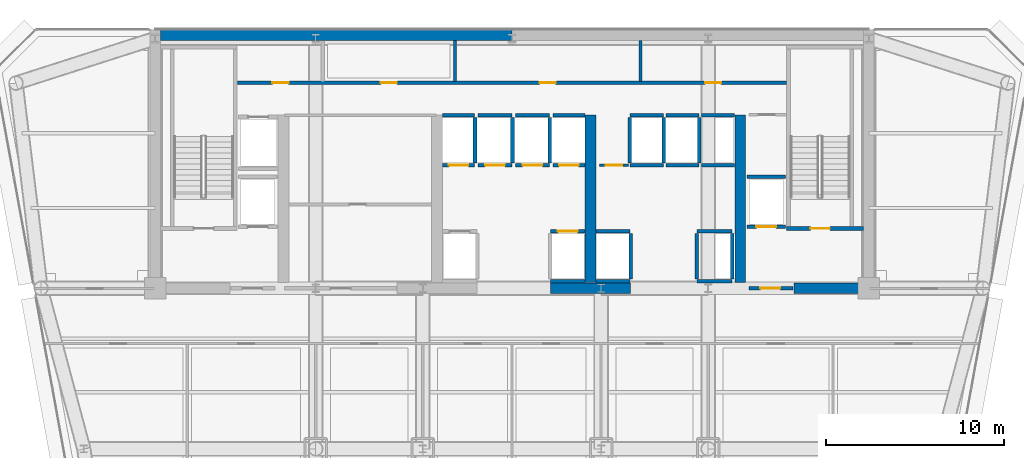
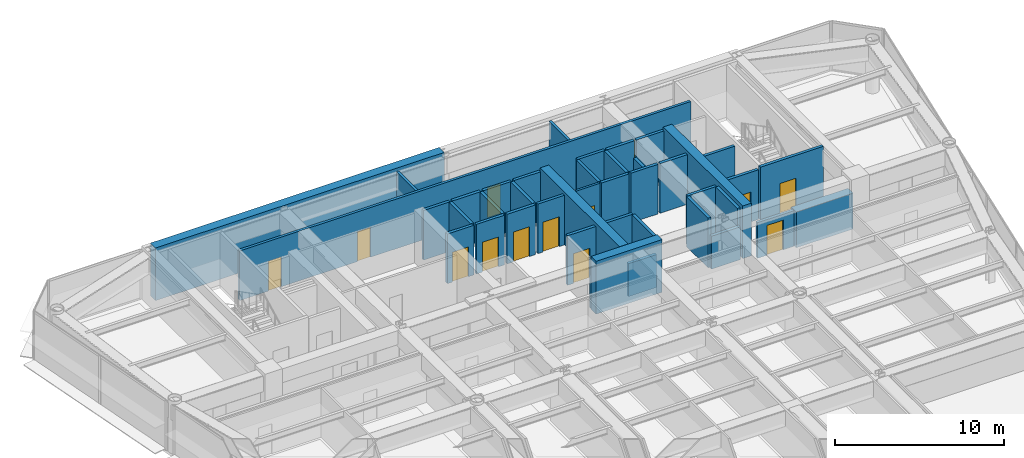
# One storey, part 12 of 17: 42 walls, 13 doors, 13 openings.
"""IFC4 building model written with IfcOpenShell, lengths in metres."""

from ifc_helpers import new_model, si_unit, direction, frame, frame_2d, origin, place, context, subcontext, project, spatial, rectangle, extrude, source, transform, mapped, material, layer, layer_set, type_object, element, fill, save


model = new_model("IFC4")

# Units and contexts
model_context = context("Model", 3, precision=1e-05, world=origin(), true_north=direction((0.0, 1.0)))
body_context = subcontext(model_context, "Body", "Model", "MODEL_VIEW")
ifc_project = project(units=[si_unit("LENGTHUNIT", "METRE"), si_unit("AREAUNIT", "SQUARE_METRE"), si_unit("VOLUMEUNIT", "CUBIC_METRE"), si_unit("PLANEANGLEUNIT", "RADIAN"), si_unit("MASSUNIT", "GRAM", prefix="KILO")], contexts=[model_context])

# Site, building, storey
site_placement = place(None, origin())
site = spatial("IfcSite", under=ifc_project, at=site_placement, CompositionType="ELEMENT")
building_placement = place(site_placement, origin())
building = spatial("IfcBuilding", under=site, at=building_placement, Name="Vaeldorn Concourse Tower", CompositionType="ELEMENT")
storey_placement = place(building_placement, frame((0.0, 0.0, 176.60009765625)))
storey = spatial("IfcBuildingStorey", under=building, at=storey_placement, Name="L45", CompositionType="ELEMENT", Elevation=176.60009765625)

# Walls
ifc_material_1 = material(Name="Concrete C50/60", Category="concrete")
ifc_layer_1 = layer(ifc_material_1, 0.60009765625)
ifc_layer_set_1 = layer_set([ifc_layer_1], Name="Concrete C50/60")
wall_type_1 = type_object("IfcWallType", Name="WL-CORE-600", PredefinedType="SHEAR", material=ifc_layer_set_1)
wall_1_placement = place(storey_placement, frame((14.303955078125, 50.699951171875, 0.0), z_axis=(0.0, 0.0, 1.0), x_axis=(1.0, 0.0, 0.0)))
element("IfcWall", 1, at=wall_1_placement, inside=storey, type_object=wall_type_1, Name="Rear Core Shear Wall L45 N1", PredefinedType="SHEAR", context=body_context, shape_type="SweptSolid", body=[
    extrude(rectangle(XDim=19.694091796875, YDim=0.60009765625, at=frame_2d((9.84716796875, 0.0))), origin(), (0.0, 0.0, 1.0), 3.7998046875),
])
wall_2_placement = place(storey_placement, frame((36.14990234375, 36.5, 0.0), z_axis=(0.0, 0.0, 1.0), x_axis=(1.0, 0.0, 0.0)))
element("IfcWall", 2, at=wall_2_placement, inside=storey, type_object=wall_type_1, Name="Rear Core Shear Wall L45 S3", PredefinedType="SHEAR", context=body_context, shape_type="SweptSolid", body=[
    extrude(rectangle(XDim=4.5, YDim=0.60009765625, at=frame_2d((2.25, 0.0))), origin(), (0.0, 0.0, 1.0), 3.7998046875),
])
wall_3_placement = place(storey_placement, frame((49.800048828125, 36.5, 0.0), z_axis=(0.0, 0.0, 1.0), x_axis=(1.0, 0.0, 0.0)))
element("IfcWall", 3, at=wall_3_placement, inside=storey, type_object=wall_type_1, Name="Rear Core Shear Wall L45 S4", PredefinedType="SHEAR", context=body_context, shape_type="SweptSolid", body=[
    extrude(rectangle(XDim=3.8798828125, YDim=0.60009765625, at=frame_2d((1.93994140625, 0.0))), origin(), (0.0, 0.0, 1.0), 2.579833984375),
])
for number, where, z_axis, x_axis, name in (
    (4, (38.39990234375, 36.820068359375, 0.0), (0.0, 0.0, 1.0), (0.0, 1.0, 0.0), "Rear Core Shear Wall L45 M3"),
    (5, (46.800048828125, 36.820068359375, 0.0), (0.0, 0.0, 1.0), (0.0, 1.0, 0.0), "Rear Core Shear Wall L45 M4"),
):
    element("IfcWall", number, at=place(storey_placement, frame(where, z_axis=z_axis, x_axis=x_axis)), inside=storey, type_object=wall_type_1, Name=name, PredefinedType="SHEAR", context=body_context, shape_type="SweptSolid", body=[
        extrude(rectangle(XDim=9.3798828125, YDim=0.60009765625, at=frame_2d((4.68994140625, 0.0))), origin(), (0.0, 0.0, 1.0), 3.7998046875),
    ])

# Wall, opening, door
ifc_material_2 = material(Name="Gypsum Board Partition", Category="gypsum")
ifc_layer_2 = layer(ifc_material_2, 0.14990234375)
ifc_layer_set_2 = layer_set([ifc_layer_2], Name="Gypsum Board Partition")
wall_type_2 = type_object("IfcWallType", Name="WL-PART-150", PredefinedType="PARTITIONING", material=ifc_layer_set_2)
wall_4_placement = place(storey_placement, frame((38.919921875, 43.39990234375, 0.0), z_axis=(0.0, 0.0, 1.0), x_axis=(1.0, 0.0, 0.0)))
wall_4 = element("IfcWall", 6, at=wall_4_placement, inside=storey, type_object=wall_type_2, Name="Interior Wall CW-L45-CCLINK", PredefinedType="PARTITIONING", context=body_context, shape_type="SweptSolid", body=[
    extrude(rectangle(XDim=1.60009765625, YDim=0.14990234375, at=frame_2d((0.800048828125, 0.0))), origin(), (0.0, 0.0, 1.0), 3.579833984375),
])
opening_1_placement = place(wall_4_placement, frame((0.35009765625, 0.0, 0.0)))
opening_1 = element("IfcOpeningElement", 7, at=opening_1_placement, cuts=wall_4, Name="Opening D-02", PredefinedType="OPENING", context=body_context, shape_type="SweptSolid", body=[
    extrude(rectangle(XDim=0.89990234375, YDim=2.10009765625, at=frame_2d((0.449951171875, 1.050048828125))), frame((0.0, 0.0849609375, 0.0), z_axis=(0.0, -1.0, 0.0), x_axis=(1.0, 0.0, 0.0)), (0.0, 0.0, 1.0), 0.169921875),
])
ifc_material_3 = material(Name="Fire-Rated Timber Leaf", Category="wood")
door_type_1 = type_object("IfcDoorType", Name="DR-FD30-900", OperationType="NOTDEFINED", PredefinedType="DOOR", material=ifc_material_3)
shared_shape_1 = source(origin(), body_context, "Body", "SweptSolid", [
    extrude(rectangle(XDim=0.89990234375, YDim=2.10009765625, at=frame_2d((0.449951171875, 1.050048828125))), frame((0.0, 0.02490234375, 0.0), z_axis=(0.0, -1.0, 0.0), x_axis=(1.0, 0.0, 0.0)), (0.0, 0.0, 1.0), 0.050048828125),
])
door_1_placement = place(opening_1_placement, origin())
door_1 = element("IfcDoor", 8, at=door_1_placement, inside=storey, type_object=door_type_1, Name="Interior Door DR-L45-CCLINK", OperationType="SINGLE_SWING_LEFT", OverallHeight=2.10009765625, OverallWidth=0.89990234375, PredefinedType="DOOR", context=body_context, shape_type="MappedRepresentation", body=[
    mapped(shared_shape_1, transform((0.0, 0.0, 0.0), scale=1.0)),
])
fill(opening_1, door_1)

# Wall, openings, doors
ifc_layer_3 = layer(ifc_material_2, 0.179931640625)
ifc_layer_set_3 = layer_set([ifc_layer_3], Name="Gypsum Board Partition")
wall_type_3 = type_object("IfcWallType", Name="WL-PLUMB-180", PredefinedType="PLUMBINGWALL", material=ifc_layer_set_3)
wall_5_placement = place(storey_placement, frame((18.6201171875, 48.02001953125, 0.0), z_axis=(0.0, 0.0, 1.0), x_axis=(1.0, 0.0, 0.0)))
wall_5 = element("IfcWall", 9, at=wall_5_placement, inside=storey, type_object=wall_type_3, Name="Interior Wall CW-L45-NS0", PredefinedType="PLUMBINGWALL", context=body_context, shape_type="SweptSolid", body=[
    extrude(rectangle(XDim=30.759765625, YDim=0.179931640625, at=frame_2d((15.3798828125, 0.0))), origin(), (0.0, 0.0, 1.0), 3.579833984375),
])
opening_2_placement = place(wall_5_placement, frame((1.955078125, 0.0, 0.0)))
opening_2 = element("IfcOpeningElement", 10, at=opening_2_placement, cuts=wall_5, Name="Opening D-03", PredefinedType="OPENING", context=body_context, shape_type="SweptSolid", body=[
    extrude(rectangle(XDim=0.89990234375, YDim=2.14990234375, at=frame_2d((0.449951171875, 1.074951171875))), frame((0.0, 0.10009765625, 0.0), z_axis=(0.0, -1.0, 0.0), x_axis=(1.0, 0.0, 0.0)), (0.0, 0.0, 1.0), 0.199951171875),
])
opening_3_placement = place(wall_5_placement, frame((8.030029296875, 0.0, 0.0)))
opening_3 = element("IfcOpeningElement", 11, at=opening_3_placement, cuts=wall_5, Name="Opening D-03", PredefinedType="OPENING", context=body_context, shape_type="SweptSolid", body=[
    extrude(rectangle(XDim=0.89990234375, YDim=2.14990234375, at=frame_2d((0.449951171875, 1.074951171875))), frame((0.0, 0.10009765625, 0.0), z_axis=(0.0, -1.0, 0.0), x_axis=(1.0, 0.0, 0.0)), (0.0, 0.0, 1.0), 0.199951171875),
])
opening_4_placement = place(wall_5_placement, frame((16.929931640625, 0.0, 0.0)))
opening_4 = element("IfcOpeningElement", 12, at=opening_4_placement, cuts=wall_5, Name="Opening D-03", PredefinedType="OPENING", context=body_context, shape_type="SweptSolid", body=[
    extrude(rectangle(XDim=0.89990234375, YDim=2.14990234375, at=frame_2d((0.449951171875, 1.074951171875))), frame((0.0, 0.10009765625, 0.0), z_axis=(0.0, -1.0, 0.0), x_axis=(1.0, 0.0, 0.0)), (0.0, 0.0, 1.0), 0.199951171875),
])
opening_5_placement = place(wall_5_placement, frame((26.205078125, 0.0, 0.0)))
opening_5 = element("IfcOpeningElement", 13, at=opening_5_placement, cuts=wall_5, Name="Opening D-03", PredefinedType="OPENING", context=body_context, shape_type="SweptSolid", body=[
    extrude(rectangle(XDim=0.89990234375, YDim=2.14990234375, at=frame_2d((0.449951171875, 1.074951171875))), frame((0.0, 0.10009765625, 0.0), z_axis=(0.0, -1.0, 0.0), x_axis=(1.0, 0.0, 0.0)), (0.0, 0.0, 1.0), 0.199951171875),
])
ifc_material_4 = material(Name="Acoustic Bronze-Framed Glass Door", Category="glass")
door_type_2 = type_object("IfcDoorType", Name="DR-INT-900", OperationType="NOTDEFINED", PredefinedType="DOOR", material=ifc_material_4)
shared_shape_2 = source(origin(), body_context, "Body", "SweptSolid", [
    extrude(rectangle(XDim=0.89990234375, YDim=2.14990234375, at=frame_2d((0.449951171875, 1.074951171875))), frame((0.0, 0.02490234375, 0.0), z_axis=(0.0, -1.0, 0.0), x_axis=(1.0, 0.0, 0.0)), (0.0, 0.0, 1.0), 0.050048828125),
])
door_2_placement = place(opening_2_placement, origin())
door_2 = element("IfcDoor", 14, at=door_2_placement, inside=storey, type_object=door_type_2, Name="Interior Door DR-L45-CS1", OperationType="SINGLE_SWING_LEFT", OverallHeight=2.14990234375, OverallWidth=0.89990234375, PredefinedType="DOOR", context=body_context, shape_type="MappedRepresentation", body=[
    mapped(shared_shape_2, transform((0.0, 0.0, 0.0), scale=1.0)),
])
fill(opening_2, door_2)
door_3_placement = place(opening_3_placement, origin())
door_3 = element("IfcDoor", 15, at=door_3_placement, inside=storey, type_object=door_type_2, Name="Interior Door DR-L45-CS2", OperationType="SINGLE_SWING_RIGHT", OverallHeight=2.14990234375, OverallWidth=0.89990234375, PredefinedType="DOOR", context=body_context, shape_type="MappedRepresentation", body=[
    mapped(shared_shape_2, transform((0.0, 0.0, 0.0), scale=1.0)),
])
fill(opening_3, door_3)
door_4_placement = place(opening_4_placement, origin())
door_4 = element("IfcDoor", 16, at=door_4_placement, inside=storey, type_object=door_type_2, Name="Interior Door DR-L45-CS3", OperationType="SINGLE_SWING_LEFT", OverallHeight=2.14990234375, OverallWidth=0.89990234375, PredefinedType="DOOR", context=body_context, shape_type="MappedRepresentation", body=[
    mapped(shared_shape_2, transform((0.0, 0.0, 0.0), scale=1.0)),
])
fill(opening_4, door_4)
door_5_placement = place(opening_5_placement, origin())
door_5 = element("IfcDoor", 17, at=door_5_placement, inside=storey, type_object=door_type_2, Name="Interior Door DR-L45-CS4", OperationType="SINGLE_SWING_RIGHT", OverallHeight=2.14990234375, OverallWidth=0.89990234375, PredefinedType="DOOR", context=body_context, shape_type="MappedRepresentation", body=[
    mapped(shared_shape_2, transform((0.0, 0.0, 0.0), scale=1.0)),
])
fill(opening_5, door_5)

# Walls
for number, where, z_axis, x_axis, name in (
    (18, (30.800048828125, 48.10009765625, 0.0), (0.0, 0.0, 1.0), (0.0, 1.0, 0.0), "Interior Wall CW-L45-NDIV2"),
    (19, (41.199951171875, 48.10009765625, 0.0), (0.0, 0.0, 1.0), (0.0, 1.0, 0.0), "Interior Wall CW-L45-NDIV3"),
):
    element("IfcWall", number, at=place(storey_placement, frame(where, z_axis=z_axis, x_axis=x_axis)), inside=storey, type_object=wall_type_3, Name=name, PredefinedType="PLUMBINGWALL", context=body_context, shape_type="SweptSolid", body=[
        extrude(rectangle(XDim=2.27978515625, YDim=0.179931640625, at=frame_2d((1.139892578125, 0.0))), origin(), (0.0, 0.0, 1.0), 3.579833984375),
    ])

# Wall, opening, door
ifc_layer_4 = layer(ifc_material_1, 0.199951171875)
ifc_layer_set_4 = layer_set([ifc_layer_4], Name="Concrete C50/60")
wall_type_4 = type_object("IfcWallType", Name="WL-SHAFT-200", PredefinedType="SOLIDWALL", material=ifc_layer_set_4)
wall_6_placement = place(storey_placement, frame((49.39990234375, 39.85009765625, 0.0), z_axis=(0.0, 0.0, 1.0), x_axis=(1.0, 0.0, 0.0)))
wall_6 = element("IfcWall", 20, at=wall_6_placement, inside=storey, type_object=wall_type_4, Name="Stair Shaft Wall CW-L45-ST-2-S", PredefinedType="SOLIDWALL", context=body_context, shape_type="SweptSolid", body=[
    extrude(rectangle(XDim=4.300048828125, YDim=0.199951171875, at=frame_2d((2.14990234375, 0.0))), origin(), (0.0, 0.0, 1.0), 3.7998046875),
])
opening_6_placement = place(wall_6_placement, frame((1.324951171875, 0.0, 0.0)))
opening_6 = element("IfcOpeningElement", 21, at=opening_6_placement, cuts=wall_6, Name="Opening D-01", PredefinedType="OPENING", context=body_context, shape_type="SweptSolid", body=[
    extrude(rectangle(XDim=1.10009765625, YDim=2.14990234375, at=frame_2d((0.550048828125, 1.074951171875))), frame((0.0, 0.10986328125, 0.0), z_axis=(0.0, -1.0, 0.0), x_axis=(1.0, 0.0, 0.0)), (0.0, 0.0, 1.0), 0.219970703125),
])
ifc_material_5 = material(Name="Fire-Rated Timber and Steel Leaf", Category="steel")
door_type_3 = type_object("IfcDoorType", Name="DR-FD60-1100", OperationType="NOTDEFINED", PredefinedType="DOOR", material=ifc_material_5)
shared_shape_3 = source(origin(), body_context, "Body", "SweptSolid", [
    extrude(rectangle(XDim=1.10009765625, YDim=2.14990234375, at=frame_2d((0.550048828125, 1.074951171875))), frame((0.0, 0.02490234375, 0.0), z_axis=(0.0, -1.0, 0.0), x_axis=(1.0, 0.0, 0.0)), (0.0, 0.0, 1.0), 0.050048828125),
])
door_6_placement = place(opening_6_placement, origin())
door_6 = element("IfcDoor", 22, at=door_6_placement, inside=storey, type_object=door_type_3, Name="Interior Door DR-L45-ST-2", OperationType="SINGLE_SWING_RIGHT", OverallHeight=2.14990234375, OverallWidth=1.10009765625, PredefinedType="DOOR", context=body_context, shape_type="MappedRepresentation", body=[
    mapped(shared_shape_3, transform((0.0, 0.0, 0.0), scale=1.0)),
])
fill(opening_6, door_6)

wall_7_placement = place(storey_placement, frame((47.280029296875, 36.5, 0.0), z_axis=(0.0, 0.0, 1.0), x_axis=(1.0, 0.0, 0.0)))
wall_7 = element("IfcWall", 23, at=wall_7_placement, inside=storey, type_object=wall_type_4, Name="Interior Wall CW-L45-FF2S", PredefinedType="SOLIDWALL", context=body_context, shape_type="SweptSolid", body=[
    extrude(rectangle(XDim=2.469970703125, YDim=0.199951171875, at=frame_2d((1.23486328125, 0.0))), origin(), (0.0, 0.0, 1.0), 2.56982421875),
])
opening_7_placement = place(wall_7_placement, frame((0.64990234375, 0.0, 0.0)))
opening_7 = element("IfcOpeningElement", 24, at=opening_7_placement, cuts=wall_7, Name="Opening D-01", PredefinedType="OPENING", context=body_context, shape_type="SweptSolid", body=[
    extrude(rectangle(XDim=1.10009765625, YDim=2.14990234375, at=frame_2d((0.550048828125, 1.074951171875))), frame((0.0, 0.10986328125, 0.0), z_axis=(0.0, -1.0, 0.0), x_axis=(1.0, 0.0, 0.0)), (0.0, 0.0, 1.0), 0.219970703125),
])
door_7_placement = place(opening_7_placement, origin())
door_7 = element("IfcDoor", 25, at=door_7_placement, inside=storey, type_object=door_type_3, Name="Interior Door DR-L45-FF2W", OperationType="SINGLE_SWING_LEFT", OverallHeight=2.14990234375, OverallWidth=1.10009765625, PredefinedType="DOOR", context=body_context, shape_type="MappedRepresentation", body=[
    mapped(shared_shape_3, transform((0.0, 0.0, 0.0), scale=1.0)),
])
fill(opening_7, door_7)

wall_8_placement = place(storey_placement, frame((36.169921875, 39.699951171875, 0.0), z_axis=(0.0, 0.0, 1.0), x_axis=(1.0, 0.0, 0.0)))
wall_8 = element("IfcWall", 26, at=wall_8_placement, inside=storey, type_object=wall_type_4, Name="Interior Wall CW-L45-LF-LF-08", PredefinedType="SOLIDWALL", context=body_context, shape_type="SweptSolid", body=[
    extrude(rectangle(XDim=1.920166015625, YDim=0.199951171875, at=frame_2d((0.9599609375, 0.0))), origin(), (0.0, 0.0, 1.0), 3.579833984375),
])
opening_8_placement = place(wall_8_placement, frame((0.409912109375, 0.0, 0.0)))
opening_8 = element("IfcOpeningElement", 27, at=opening_8_placement, cuts=wall_8, Name="Opening LD-1", PredefinedType="OPENING", context=body_context, shape_type="SweptSolid", body=[
    extrude(rectangle(XDim=1.10009765625, YDim=2.14990234375, at=frame_2d((0.550048828125, 1.074951171875))), frame((0.0, 0.10986328125, 0.0), z_axis=(0.0, -1.0, 0.0), x_axis=(1.0, 0.0, 0.0)), (0.0, 0.0, 1.0), 0.219970703125),
])
ifc_material_6 = material(Name="Anodised Bronze Aluminium", Category="aluminium")
door_type_4 = type_object("IfcDoorType", Name="DR-LIFT-SLIDE-1100", OperationType="DOUBLE_DOOR_SLIDING", PredefinedType="DOOR", material=ifc_material_6)
door_8_placement = place(opening_8_placement, origin())
door_8 = element("IfcDoor", 28, at=door_8_placement, inside=storey, type_object=door_type_4, Name="Lift Landing Door LD-L45-LF-08", OperationType="DOUBLE_DOOR_SLIDING", OverallHeight=2.14990234375, OverallWidth=1.10009765625, PredefinedType="DOOR", context=body_context, shape_type="MappedRepresentation", body=[
    mapped(shared_shape_3, transform((0.0, 0.0, 0.0), scale=1.0)),
])
fill(opening_8, door_8)

# Wall
wall_9_placement = place(storey_placement, frame((36.169921875, 36.89990234375, 0.0), z_axis=(0.0, 0.0, 1.0), x_axis=(1.0, 0.0, 0.0)))
element("IfcWall", 29, at=wall_9_placement, inside=storey, type_object=wall_type_4, Name="Interior Wall CW-L45-LFB-LF-08", PredefinedType="SOLIDWALL", context=body_context, shape_type="SweptSolid", body=[
    extrude(rectangle(XDim=1.920166015625, YDim=0.199951171875, at=frame_2d((0.9599609375, 0.0))), origin(), (0.0, 0.0, 1.0), 2.369873046875),
])

# Wall, opening, door
wall_10_placement = place(storey_placement, frame((30.110107421875, 43.39990234375, 0.0), z_axis=(0.0, 0.0, 1.0), x_axis=(1.0, 0.0, 0.0)))
wall_10 = element("IfcWall", 30, at=wall_10_placement, inside=storey, type_object=wall_type_4, Name="Interior Wall CW-L45-LF-LF-09", PredefinedType="SOLIDWALL", context=body_context, shape_type="SweptSolid", body=[
    extrude(rectangle(XDim=1.7998046875, YDim=0.199951171875, at=frame_2d((0.89990234375, 0.0))), origin(), (0.0, 0.0, 1.0), 3.579833984375),
])
opening_9_placement = place(wall_10_placement, frame((0.35009765625, 0.0, 0.0)))
opening_9 = element("IfcOpeningElement", 31, at=opening_9_placement, cuts=wall_10, Name="Opening LD-1", PredefinedType="OPENING", context=body_context, shape_type="SweptSolid", body=[
    extrude(rectangle(XDim=1.10009765625, YDim=2.14990234375, at=frame_2d((0.550048828125, 1.074951171875))), frame((0.0, 0.10986328125, 0.0), z_axis=(0.0, -1.0, 0.0), x_axis=(1.0, 0.0, 0.0)), (0.0, 0.0, 1.0), 0.219970703125),
])
door_9_placement = place(opening_9_placement, origin())
door_9 = element("IfcDoor", 32, at=door_9_placement, inside=storey, type_object=door_type_4, Name="Lift Landing Door LD-L45-LF-09", OperationType="DOUBLE_DOOR_SLIDING", OverallHeight=2.14990234375, OverallWidth=1.10009765625, PredefinedType="DOOR", context=body_context, shape_type="MappedRepresentation", body=[
    mapped(shared_shape_3, transform((0.0, 0.0, 0.0), scale=1.0)),
])
fill(opening_9, door_9)

# Walls
wall_11_placement = place(storey_placement, frame((30.110107421875, 46.199951171875, 0.0), z_axis=(0.0, 0.0, 1.0), x_axis=(1.0, 0.0, 0.0)))
element("IfcWall", 33, at=wall_11_placement, inside=storey, type_object=wall_type_4, Name="Interior Wall CW-L45-LFB-LF-09", PredefinedType="SOLIDWALL", context=body_context, shape_type="SweptSolid", body=[
    extrude(rectangle(XDim=1.7998046875, YDim=0.199951171875, at=frame_2d((0.89990234375, 0.0))), origin(), (0.0, 0.0, 1.0), 3.579833984375),
])
wall_12_placement = place(storey_placement, frame((31.929931640625, 43.52001953125, 0.0), z_axis=(0.0, 0.0, 1.0), x_axis=(0.0, 1.0, 0.0)))
element("IfcWall", 34, at=wall_12_placement, inside=storey, type_object=wall_type_4, Name="Interior Wall CW-L45-LFE-LF-09", PredefinedType="SOLIDWALL", context=body_context, shape_type="SweptSolid", body=[
    extrude(rectangle(XDim=2.56005859375, YDim=0.199951171875, at=frame_2d((1.280029296875, 0.0))), origin(), (0.0, 0.0, 1.0), 3.579833984375),
])

# Wall, opening, door
wall_13_placement = place(storey_placement, frame((32.090087890625, 43.39990234375, 0.0), z_axis=(0.0, 0.0, 1.0), x_axis=(1.0, 0.0, 0.0)))
wall_13 = element("IfcWall", 35, at=wall_13_placement, inside=storey, type_object=wall_type_4, Name="Interior Wall CW-L45-LF-LF-10", PredefinedType="SOLIDWALL", context=body_context, shape_type="SweptSolid", body=[
    extrude(rectangle(XDim=1.919921875, YDim=0.199951171875, at=frame_2d((0.9599609375, 0.0))), origin(), (0.0, 0.0, 1.0), 3.579833984375),
])
opening_10_placement = place(wall_13_placement, frame((0.409912109375, 0.0, 0.0)))
opening_10 = element("IfcOpeningElement", 36, at=opening_10_placement, cuts=wall_13, Name="Opening LD-1", PredefinedType="OPENING", context=body_context, shape_type="SweptSolid", body=[
    extrude(rectangle(XDim=1.10009765625, YDim=2.14990234375, at=frame_2d((0.550048828125, 1.074951171875))), frame((0.0, 0.10986328125, 0.0), z_axis=(0.0, -1.0, 0.0), x_axis=(1.0, 0.0, 0.0)), (0.0, 0.0, 1.0), 0.219970703125),
])
door_10_placement = place(opening_10_placement, origin())
door_10 = element("IfcDoor", 37, at=door_10_placement, inside=storey, type_object=door_type_4, Name="Lift Landing Door LD-L45-LF-10", OperationType="DOUBLE_DOOR_SLIDING", OverallHeight=2.14990234375, OverallWidth=1.10009765625, PredefinedType="DOOR", context=body_context, shape_type="MappedRepresentation", body=[
    mapped(shared_shape_3, transform((0.0, 0.0, 0.0), scale=1.0)),
])
fill(opening_10, door_10)

# Walls
wall_14_placement = place(storey_placement, frame((32.090087890625, 46.199951171875, 0.0), z_axis=(0.0, 0.0, 1.0), x_axis=(1.0, 0.0, 0.0)))
element("IfcWall", 38, at=wall_14_placement, inside=storey, type_object=wall_type_4, Name="Interior Wall CW-L45-LFB-LF-10", PredefinedType="SOLIDWALL", context=body_context, shape_type="SweptSolid", body=[
    extrude(rectangle(XDim=1.919921875, YDim=0.199951171875, at=frame_2d((0.9599609375, 0.0))), origin(), (0.0, 0.0, 1.0), 3.579833984375),
])
wall_15_placement = place(storey_placement, frame((34.030029296875, 43.52001953125, 0.0), z_axis=(0.0, 0.0, 1.0), x_axis=(0.0, 1.0, 0.0)))
element("IfcWall", 39, at=wall_15_placement, inside=storey, type_object=wall_type_4, Name="Interior Wall CW-L45-LFE-LF-10", PredefinedType="SOLIDWALL", context=body_context, shape_type="SweptSolid", body=[
    extrude(rectangle(XDim=2.56005859375, YDim=0.199951171875, at=frame_2d((1.280029296875, 0.0))), origin(), (0.0, 0.0, 1.0), 3.579833984375),
])

# Wall, opening, door
wall_16_placement = place(storey_placement, frame((34.18994140625, 43.39990234375, 0.0), z_axis=(0.0, 0.0, 1.0), x_axis=(1.0, 0.0, 0.0)))
wall_16 = element("IfcWall", 40, at=wall_16_placement, inside=storey, type_object=wall_type_4, Name="Interior Wall CW-L45-LF-LF-11", PredefinedType="SOLIDWALL", context=body_context, shape_type="SweptSolid", body=[
    extrude(rectangle(XDim=1.920166015625, YDim=0.199951171875, at=frame_2d((0.9599609375, 0.0))), origin(), (0.0, 0.0, 1.0), 3.579833984375),
])
opening_11_placement = place(wall_16_placement, frame((0.409912109375, 0.0, 0.0)))
opening_11 = element("IfcOpeningElement", 41, at=opening_11_placement, cuts=wall_16, Name="Opening LD-1", PredefinedType="OPENING", context=body_context, shape_type="SweptSolid", body=[
    extrude(rectangle(XDim=1.10009765625, YDim=2.14990234375, at=frame_2d((0.550048828125, 1.074951171875))), frame((0.0, 0.10986328125, 0.0), z_axis=(0.0, -1.0, 0.0), x_axis=(1.0, 0.0, 0.0)), (0.0, 0.0, 1.0), 0.219970703125),
])
door_11_placement = place(opening_11_placement, origin())
door_11 = element("IfcDoor", 42, at=door_11_placement, inside=storey, type_object=door_type_4, Name="Lift Landing Door LD-L45-LF-11", OperationType="DOUBLE_DOOR_SLIDING", OverallHeight=2.14990234375, OverallWidth=1.10009765625, PredefinedType="DOOR", context=body_context, shape_type="MappedRepresentation", body=[
    mapped(shared_shape_3, transform((0.0, 0.0, 0.0), scale=1.0)),
])
fill(opening_11, door_11)

# Walls
wall_17_placement = place(storey_placement, frame((34.18994140625, 46.199951171875, 0.0), z_axis=(0.0, 0.0, 1.0), x_axis=(1.0, 0.0, 0.0)))
element("IfcWall", 43, at=wall_17_placement, inside=storey, type_object=wall_type_4, Name="Interior Wall CW-L45-LFB-LF-11", PredefinedType="SOLIDWALL", context=body_context, shape_type="SweptSolid", body=[
    extrude(rectangle(XDim=1.920166015625, YDim=0.199951171875, at=frame_2d((0.9599609375, 0.0))), origin(), (0.0, 0.0, 1.0), 3.579833984375),
])
wall_18_placement = place(storey_placement, frame((36.1298828125, 43.52001953125, 0.0), z_axis=(0.0, 0.0, 1.0), x_axis=(0.0, 1.0, 0.0)))
element("IfcWall", 44, at=wall_18_placement, inside=storey, type_object=wall_type_4, Name="Interior Wall CW-L45-LFE-LF-11", PredefinedType="SOLIDWALL", context=body_context, shape_type="SweptSolid", body=[
    extrude(rectangle(XDim=2.56005859375, YDim=0.199951171875, at=frame_2d((1.280029296875, 0.0))), origin(), (0.0, 0.0, 1.0), 3.579833984375),
])

# Wall, opening, door
wall_19_placement = place(storey_placement, frame((36.2900390625, 43.39990234375, 0.0), z_axis=(0.0, 0.0, 1.0), x_axis=(1.0, 0.0, 0.0)))
wall_19 = element("IfcWall", 45, at=wall_19_placement, inside=storey, type_object=wall_type_4, Name="Interior Wall CW-L45-LF-LF-12", PredefinedType="SOLIDWALL", context=body_context, shape_type="SweptSolid", body=[
    extrude(rectangle(XDim=1.800048828125, YDim=0.199951171875, at=frame_2d((0.89990234375, 0.0))), origin(), (0.0, 0.0, 1.0), 3.579833984375),
])
opening_12_placement = place(wall_19_placement, frame((0.35009765625, 0.0, 0.0)))
opening_12 = element("IfcOpeningElement", 46, at=opening_12_placement, cuts=wall_19, Name="Opening LD-1", PredefinedType="OPENING", context=body_context, shape_type="SweptSolid", body=[
    extrude(rectangle(XDim=1.10009765625, YDim=2.14990234375, at=frame_2d((0.550048828125, 1.074951171875))), frame((0.0, 0.10986328125, 0.0), z_axis=(0.0, -1.0, 0.0), x_axis=(1.0, 0.0, 0.0)), (0.0, 0.0, 1.0), 0.219970703125),
])
door_12_placement = place(opening_12_placement, origin())
door_12 = element("IfcDoor", 47, at=door_12_placement, inside=storey, type_object=door_type_4, Name="Lift Landing Door LD-L45-LF-12", OperationType="DOUBLE_DOOR_SLIDING", OverallHeight=2.14990234375, OverallWidth=1.10009765625, PredefinedType="DOOR", context=body_context, shape_type="MappedRepresentation", body=[
    mapped(shared_shape_3, transform((0.0, 0.0, 0.0), scale=1.0)),
])
fill(opening_12, door_12)

# Walls
wall_20_placement = place(storey_placement, frame((36.2900390625, 46.199951171875, 0.0), z_axis=(0.0, 0.0, 1.0), x_axis=(1.0, 0.0, 0.0)))
element("IfcWall", 48, at=wall_20_placement, inside=storey, type_object=wall_type_4, Name="Interior Wall CW-L45-LFB-LF-12", PredefinedType="SOLIDWALL", context=body_context, shape_type="SweptSolid", body=[
    extrude(rectangle(XDim=1.800048828125, YDim=0.199951171875, at=frame_2d((0.89990234375, 0.0))), origin(), (0.0, 0.0, 1.0), 3.579833984375),
])
wall_21_placement = place(storey_placement, frame((38.7099609375, 39.699951171875, 0.0), z_axis=(0.0, 0.0, 1.0), x_axis=(1.0, 0.0, 0.0)))
element("IfcWall", 49, at=wall_21_placement, inside=storey, type_object=wall_type_4, Name="Interior Wall CW-L45-LF-LF-13", PredefinedType="SOLIDWALL", context=body_context, shape_type="SweptSolid", body=[
    extrude(rectangle(XDim=1.919921875, YDim=0.199951171875, at=frame_2d((0.9599609375, 0.0))), origin(), (0.0, 0.0, 1.0), 3.579833984375),
])
wall_22_placement = place(storey_placement, frame((38.7099609375, 36.89990234375, 0.0), z_axis=(0.0, 0.0, 1.0), x_axis=(1.0, 0.0, 0.0)))
element("IfcWall", 50, at=wall_22_placement, inside=storey, type_object=wall_type_4, Name="Interior Wall CW-L45-LFB-LF-13", PredefinedType="SOLIDWALL", context=body_context, shape_type="SweptSolid", body=[
    extrude(rectangle(XDim=1.919921875, YDim=0.199951171875, at=frame_2d((0.9599609375, 0.0))), origin(), (0.0, 0.0, 1.0), 2.369873046875),
])
wall_23_placement = place(storey_placement, frame((40.64990234375, 37.02001953125, 0.0), z_axis=(0.0, 0.0, 1.0), x_axis=(0.0, 1.0, 0.0)))
element("IfcWall", 51, at=wall_23_placement, inside=storey, type_object=wall_type_4, Name="Interior Wall CW-L45-LFE-LF-13", PredefinedType="SOLIDWALL", context=body_context, shape_type="SweptSolid", body=[
    extrude(rectangle(XDim=2.56005859375, YDim=0.199951171875, at=frame_2d((1.280029296875, 0.0))), origin(), (0.0, 0.0, 1.0), 3.579833984375),
])
wall_24_placement = place(storey_placement, frame((44.3701171875, 39.699951171875, 0.0), z_axis=(0.0, 0.0, 1.0), x_axis=(1.0, 0.0, 0.0)))
element("IfcWall", 52, at=wall_24_placement, inside=storey, type_object=wall_type_4, Name="Interior Wall CW-L45-LF-LF-14", PredefinedType="SOLIDWALL", context=body_context, shape_type="SweptSolid", body=[
    extrude(rectangle(XDim=1.9599609375, YDim=0.199951171875, at=frame_2d((0.97998046875, 0.0))), origin(), (0.0, 0.0, 1.0), 3.579833984375),
])
wall_25_placement = place(storey_placement, frame((44.3701171875, 36.89990234375, 0.0), z_axis=(0.0, 0.0, 1.0), x_axis=(1.0, 0.0, 0.0)))
element("IfcWall", 53, at=wall_25_placement, inside=storey, type_object=wall_type_4, Name="Interior Wall CW-L45-LFB-LF-14", PredefinedType="SOLIDWALL", context=body_context, shape_type="SweptSolid", body=[
    extrude(rectangle(XDim=1.9599609375, YDim=0.199951171875, at=frame_2d((0.97998046875, 0.0))), origin(), (0.0, 0.0, 1.0), 2.369873046875),
])
for number, where, z_axis, x_axis, name in (
    (54, (44.35009765625, 37.02001953125, 0.0), (0.0, 0.0, 1.0), (0.0, 1.0, 0.0), "Interior Wall CW-L45-LFW-LF-14"),
    (55, (46.35009765625, 37.02001953125, 0.0), (0.0, 0.0, 1.0), (0.0, 1.0, 0.0), "Interior Wall CW-L45-LFE-LF-14"),
):
    element("IfcWall", number, at=place(storey_placement, frame(where, z_axis=z_axis, x_axis=x_axis)), inside=storey, type_object=wall_type_4, Name=name, PredefinedType="SOLIDWALL", context=body_context, shape_type="SweptSolid", body=[
        extrude(rectangle(XDim=2.56005859375, YDim=0.199951171875, at=frame_2d((1.280029296875, 0.0))), origin(), (0.0, 0.0, 1.0), 3.579833984375),
    ])
for number, where, z_axis, x_axis, name in (
    (56, (40.6201171875, 43.39990234375, 0.0), (0.0, 0.0, 1.0), (1.0, 0.0, 0.0), "Interior Wall CW-L45-LF-LF-15"),
    (57, (40.6201171875, 46.199951171875, 0.0), (0.0, 0.0, 1.0), (1.0, 0.0, 0.0), "Interior Wall CW-L45-LFB-LF-15"),
):
    element("IfcWall", number, at=place(storey_placement, frame(where, z_axis=z_axis, x_axis=x_axis)), inside=storey, type_object=wall_type_4, Name=name, PredefinedType="SOLIDWALL", context=body_context, shape_type="SweptSolid", body=[
        extrude(rectangle(XDim=1.85986328125, YDim=0.199951171875, at=frame_2d((0.929931640625, 0.0))), origin(), (0.0, 0.0, 1.0), 3.579833984375),
    ])
for number, where, z_axis, x_axis, name in (
    (58, (40.60009765625, 43.52001953125, 0.0), (0.0, 0.0, 1.0), (0.0, 1.0, 0.0), "Interior Wall CW-L45-LFW-LF-15"),
    (59, (42.5, 43.52001953125, 0.0), (0.0, 0.0, 1.0), (0.0, 1.0, 0.0), "Interior Wall CW-L45-LFE-LF-15"),
):
    element("IfcWall", number, at=place(storey_placement, frame(where, z_axis=z_axis, x_axis=x_axis)), inside=storey, type_object=wall_type_4, Name=name, PredefinedType="SOLIDWALL", context=body_context, shape_type="SweptSolid", body=[
        extrude(rectangle(XDim=2.56005859375, YDim=0.199951171875, at=frame_2d((1.280029296875, 0.0))), origin(), (0.0, 0.0, 1.0), 3.579833984375),
    ])
for number, where, z_axis, x_axis, name in (
    (60, (42.6201171875, 43.39990234375, 0.0), (0.0, 0.0, 1.0), (1.0, 0.0, 0.0), "Interior Wall CW-L45-LF-LF-16"),
    (61, (42.6201171875, 46.199951171875, 0.0), (0.0, 0.0, 1.0), (1.0, 0.0, 0.0), "Interior Wall CW-L45-LFB-LF-16"),
):
    element("IfcWall", number, at=place(storey_placement, frame(where, z_axis=z_axis, x_axis=x_axis)), inside=storey, type_object=wall_type_4, Name=name, PredefinedType="SOLIDWALL", context=body_context, shape_type="SweptSolid", body=[
        extrude(rectangle(XDim=1.85986328125, YDim=0.199951171875, at=frame_2d((0.929931640625, 0.0))), origin(), (0.0, 0.0, 1.0), 3.579833984375),
    ])
wall_26_placement = place(storey_placement, frame((44.5, 43.52001953125, 0.0), z_axis=(0.0, 0.0, 1.0), x_axis=(0.0, 1.0, 0.0)))
element("IfcWall", 62, at=wall_26_placement, inside=storey, type_object=wall_type_4, Name="Interior Wall CW-L45-LFE-LF-16", PredefinedType="SOLIDWALL", context=body_context, shape_type="SweptSolid", body=[
    extrude(rectangle(XDim=2.56005859375, YDim=0.199951171875, at=frame_2d((1.280029296875, 0.0))), origin(), (0.0, 0.0, 1.0), 2.369873046875),
])
for number, where, z_axis, x_axis, name in (
    (63, (44.6201171875, 43.39990234375, 0.0), (0.0, 0.0, 1.0), (1.0, 0.0, 0.0), "Interior Wall CW-L45-LF-LF-17"),
    (64, (44.6201171875, 46.199951171875, 0.0), (0.0, 0.0, 1.0), (1.0, 0.0, 0.0), "Interior Wall CW-L45-LFB-LF-17"),
):
    element("IfcWall", number, at=place(storey_placement, frame(where, z_axis=z_axis, x_axis=x_axis)), inside=storey, type_object=wall_type_4, Name=name, PredefinedType="SOLIDWALL", context=body_context, shape_type="SweptSolid", body=[
        extrude(rectangle(XDim=1.85986328125, YDim=0.199951171875, at=frame_2d((0.929931640625, 0.0))), origin(), (0.0, 0.0, 1.0), 3.579833984375),
    ])

# Wall, opening, door
wall_27_placement = place(storey_placement, frame((47.169921875, 39.949951171875, 0.0), z_axis=(0.0, 0.0, 1.0), x_axis=(1.0, 0.0, 0.0)))
wall_27 = element("IfcWall", 65, at=wall_27_placement, inside=storey, type_object=wall_type_4, Name="Interior Wall CW-L45-LF-LF-FF2", PredefinedType="SOLIDWALL", context=body_context, shape_type="SweptSolid", body=[
    extrude(rectangle(XDim=2.16015625, YDim=0.199951171875, at=frame_2d((1.080078125, 0.0))), origin(), (0.0, 0.0, 1.0), 3.579833984375),
])
opening_13_placement = place(wall_27_placement, frame((0.530029296875, 0.0, 0.0)))
opening_13 = element("IfcOpeningElement", 66, at=opening_13_placement, cuts=wall_27, Name="Opening LD-1", PredefinedType="OPENING", context=body_context, shape_type="SweptSolid", body=[
    extrude(rectangle(XDim=1.10009765625, YDim=2.14990234375, at=frame_2d((0.550048828125, 1.074951171875))), frame((0.0, 0.10986328125, 0.0), z_axis=(0.0, -1.0, 0.0), x_axis=(1.0, 0.0, 0.0)), (0.0, 0.0, 1.0), 0.219970703125),
])
door_13_placement = place(opening_13_placement, origin())
door_13 = element("IfcDoor", 67, at=door_13_placement, inside=storey, type_object=door_type_4, Name="Lift Landing Door LD-L45-LF-FF2", OperationType="DOUBLE_DOOR_SLIDING", OverallHeight=2.14990234375, OverallWidth=1.10009765625, PredefinedType="DOOR", context=body_context, shape_type="MappedRepresentation", body=[
    mapped(shared_shape_3, transform((0.0, 0.0, 0.0), scale=1.0)),
])
fill(opening_13, door_13)

# Wall
wall_28_placement = place(storey_placement, frame((47.169921875, 42.75, 0.0), z_axis=(0.0, 0.0, 1.0), x_axis=(1.0, 0.0, 0.0)))
element("IfcWall", 68, at=wall_28_placement, inside=storey, type_object=wall_type_4, Name="Interior Wall CW-L45-LFB-LF-FF2", PredefinedType="SOLIDWALL", context=body_context, shape_type="SweptSolid", body=[
    extrude(rectangle(XDim=2.16015625, YDim=0.199951171875, at=frame_2d((1.080078125, 0.0))), origin(), (0.0, 0.0, 1.0), 3.579833984375),
])

save(model, "model.ifc")
